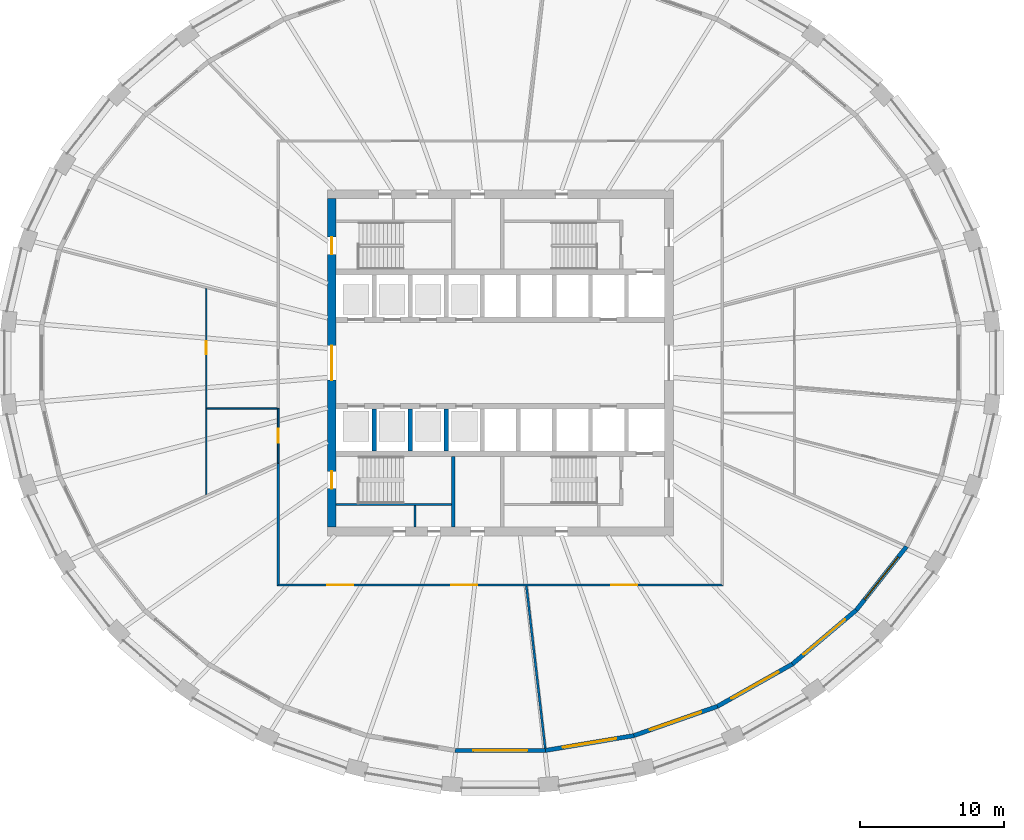
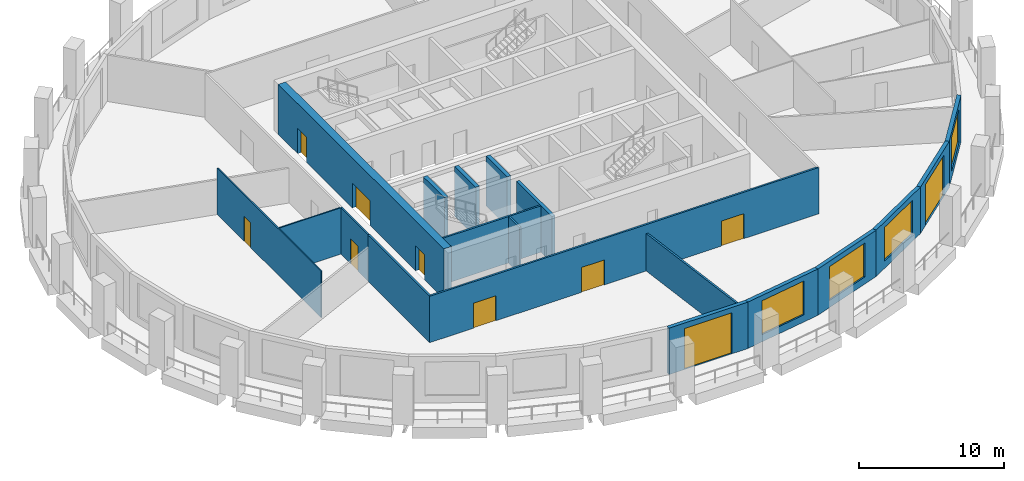
# One storey, part 3 of 10: 19 walls, 10 doors, 4 windows, 14 openings.
"""IFC4 building model written with IfcOpenShell, lengths in metres."""

from ifc_helpers import new_model, si_unit, direction, frame, frame_2d, origin, place, context, subcontext, project, spatial, polyline, rectangle, outline, extrude, material, layer, layer_set, type_object, element, fill, save


model = new_model("IFC4")

# Units and contexts
model_context = context("Model", 3, precision=1e-05, world=origin(), true_north=direction((0.0, 1.0)))
body_context = subcontext(model_context, "Body", "Model", "MODEL_VIEW")
ifc_project = project(units=[si_unit("LENGTHUNIT", "METRE"), si_unit("AREAUNIT", "SQUARE_METRE"), si_unit("VOLUMEUNIT", "CUBIC_METRE"), si_unit("PLANEANGLEUNIT", "RADIAN"), si_unit("MASSUNIT", "GRAM", prefix="KILO")], contexts=[model_context])

# Site, building, storey
site_placement = place(None, origin())
site = spatial("IfcSite", under=ifc_project, at=site_placement, CompositionType="ELEMENT")
building_placement = place(site_placement, origin())
building = spatial("IfcBuilding", under=site, at=building_placement, Name="Halqa Exchange Tower", CompositionType="ELEMENT")
storey_placement = place(building_placement, frame((0.0, 0.0, 138.10009765625)))
storey = spatial("IfcBuildingStorey", under=building, at=storey_placement, Name="L31", CompositionType="ELEMENT", Elevation=138.10009765625)

# Wall
ifc_material_1 = material(Name="Fire-rated gypsum board")
ifc_layer_1 = layer(ifc_material_1, 0.14990234375)
ifc_layer_set_1 = layer_set([ifc_layer_1], Name="Fire-rated gypsum board")
wall_type_1 = type_object("IfcWallType", Name="Fire partition EI 60 150", PredefinedType="PARTITIONING", material=ifc_layer_set_1)
wall_1_placement = place(storey_placement, frame((-15.39990234375, -15.47509765625, 0.0), z_axis=(0.0, 0.0, 1.0), x_axis=(0.0, 1.0, 0.0)))
element("IfcWall", 1, at=wall_1_placement, inside=storey, type_object=wall_type_1, Name="L31-PWL-005", PredefinedType="PARTITIONING", context=body_context, shape_type="SweptSolid", body=[
    extrude(outline(polyline([(8.525146484375, 0.074951171875), (6.820068359375, 0.074951171875), (5.115234375, 0.074951171875), (3.41015625, 0.074951171875), (1.705322265625, 0.074951171875), (0.000244140625, 0.074951171875), (0.150146484375, -0.074951171875), (1.8251953125, -0.074951171875), (3.500244140625, -0.074951171875), (5.175048828125, -0.074951171875), (6.85009765625, -0.074951171875), (8.525146484375, -0.074951171875), (8.525146484375, 0.074951171875)])), origin(), (0.0, 0.0, 1.0), 3.89990234375),
])

# Wall, openings, doors
wall_2_placement = place(storey_placement, frame((-15.47509765625, -15.39990234375, 0.0), z_axis=(0.0, 0.0, 1.0), x_axis=(1.0, 0.0, 0.0)))
wall_2 = element("IfcWall", 2, at=wall_2_placement, inside=storey, type_object=wall_type_1, Name="L31-PWL-006", PredefinedType="PARTITIONING", context=body_context, shape_type="SweptSolid", body=[
    extrude(outline(polyline([(0.000244140625, -0.074951171875), (1.9345703125, -0.074951171875), (3.868896484375, -0.074951171875), (5.80322265625, -0.074951171875), (7.73779296875, -0.074951171875), (9.672119140625, -0.074951171875), (11.6064453125, -0.074951171875), (13.540771484375, -0.074951171875), (15.47509765625, -0.074951171875), (17.409423828125, -0.074951171875), (19.34375, -0.074951171875), (21.278076171875, -0.074951171875), (23.21240234375, -0.074951171875), (25.14697265625, -0.074951171875), (27.081298828125, -0.074951171875), (29.015625, -0.074951171875), (30.949951171875, -0.074951171875), (30.800048828125, 0.074951171875), (28.884521484375, 0.074951171875), (26.96875, 0.074951171875), (25.05322265625, 0.074951171875), (23.1376953125, 0.074951171875), (21.221923828125, 0.074951171875), (19.306396484375, 0.074951171875), (17.390625, 0.074951171875), (15.47509765625, 0.074951171875), (13.5595703125, 0.074951171875), (11.643798828125, 0.074951171875), (9.728271484375, 0.074951171875), (7.8125, 0.074951171875), (5.89697265625, 0.074951171875), (3.9814453125, 0.074951171875), (2.065673828125, 0.074951171875), (0.150146484375, 0.074951171875), (0.000244140625, -0.074951171875)])), origin(), (0.0, 0.0, 1.0), 3.89990234375),
])
opening_1_placement = place(wall_2_placement, frame((3.47509765625, 0.0, 0.0)))
opening_1 = element("IfcOpeningElement", 3, at=opening_1_placement, cuts=wall_2, Name="Opening 09-06", PredefinedType="OPENING", context=body_context, shape_type="SweptSolid", body=[
    extrude(rectangle(XDim=1.800048828125, YDim=2.10009765625, at=frame_2d((0.89990234375, 1.050048828125))), frame((0.0, 0.0869140625, 0.0), z_axis=(0.0, -1.0, 0.0), x_axis=(1.0, 0.0, 0.0)), (0.0, 0.0, 1.0), 0.173828125),
])
opening_2_placement = place(wall_2_placement, frame((12.074951171875, 0.0, 0.0)))
opening_2 = element("IfcOpeningElement", 4, at=opening_2_placement, cuts=wall_2, Name="Opening 09-07", PredefinedType="OPENING", context=body_context, shape_type="SweptSolid", body=[
    extrude(rectangle(XDim=1.800048828125, YDim=2.10009765625, at=frame_2d((0.89990234375, 1.050048828125))), frame((0.0, 0.0869140625, 0.0), z_axis=(0.0, -1.0, 0.0), x_axis=(1.0, 0.0, 0.0)), (0.0, 0.0, 1.0), 0.173828125),
])
opening_3_placement = place(wall_2_placement, frame((23.175048828125, 0.0, 0.0)))
opening_3 = element("IfcOpeningElement", 5, at=opening_3_placement, cuts=wall_2, Name="Opening 09-08", PredefinedType="OPENING", context=body_context, shape_type="SweptSolid", body=[
    extrude(rectangle(XDim=1.800048828125, YDim=2.10009765625, at=frame_2d((0.89990234375, 1.050048828125))), frame((0.0, 0.0869140625, 0.0), z_axis=(0.0, -1.0, 0.0), x_axis=(1.0, 0.0, 0.0)), (0.0, 0.0, 1.0), 0.173828125),
])
ifc_material_2 = material(Name="Steel fire door leaf", Category="steel")
door_type_1 = type_object("IfcDoorType", Name="Fire door FD30S double 1800 x 2100", OperationType="DOUBLE_DOOR_SINGLE_SWING", PredefinedType="DOOR", material=ifc_material_2)
door_1_placement = place(opening_1_placement, frame((1.800048828125, 0.0, 0.0), z_axis=(0.0, 0.0, 1.0), x_axis=(-1.0, 0.0, 0.0)))
door_1 = element("IfcDoor", 6, at=door_1_placement, inside=storey, type_object=door_type_1, Name="L31-IDR-006", OperationType="DOUBLE_DOOR_SINGLE_SWING", OverallHeight=2.10009765625, OverallWidth=1.800048828125, PredefinedType="DOOR", context=body_context, shape_type="SweptSolid", body=[
    extrude(rectangle(XDim=1.800048828125, YDim=2.10009765625, at=frame_2d((0.89990234375, 1.050048828125))), frame((0.0, 0.02490234375, 0.0), z_axis=(0.0, -1.0, 0.0), x_axis=(1.0, 0.0, 0.0)), (0.0, 0.0, 1.0), 0.050048828125),
])
fill(opening_1, door_1)
door_2_placement = place(opening_2_placement, frame((1.800048828125, 0.0, 0.0), z_axis=(0.0, 0.0, 1.0), x_axis=(-1.0, 0.0, 0.0)))
door_2 = element("IfcDoor", 7, at=door_2_placement, inside=storey, type_object=door_type_1, Name="L31-IDR-007", OperationType="DOUBLE_DOOR_SINGLE_SWING", OverallHeight=2.10009765625, OverallWidth=1.800048828125, PredefinedType="DOOR", context=body_context, shape_type="SweptSolid", body=[
    extrude(rectangle(XDim=1.800048828125, YDim=2.10009765625, at=frame_2d((0.89990234375, 1.050048828125))), frame((0.0, 0.02490234375, 0.0), z_axis=(0.0, -1.0, 0.0), x_axis=(1.0, 0.0, 0.0)), (0.0, 0.0, 1.0), 0.050048828125),
])
fill(opening_2, door_2)
door_3_placement = place(opening_3_placement, frame((1.800048828125, 0.0, 0.0), z_axis=(0.0, 0.0, 1.0), x_axis=(-1.0, 0.0, 0.0)))
door_3 = element("IfcDoor", 8, at=door_3_placement, inside=storey, type_object=door_type_1, Name="L31-IDR-008", OperationType="DOUBLE_DOOR_SINGLE_SWING", OverallHeight=2.10009765625, OverallWidth=1.800048828125, PredefinedType="DOOR", context=body_context, shape_type="SweptSolid", body=[
    extrude(rectangle(XDim=1.800048828125, YDim=2.10009765625, at=frame_2d((0.89990234375, 1.050048828125))), frame((0.0, 0.02490234375, 0.0), z_axis=(0.0, -1.0, 0.0), x_axis=(1.0, 0.0, 0.0)), (0.0, 0.0, 1.0), 0.050048828125),
])
fill(opening_3, door_3)

# Wall
wall_3_placement = place(storey_placement, frame((1.8076171875, -15.466552734375, 0.0), z_axis=(0.0, 0.0, 1.0), x_axis=(0.115308163836, -0.993329767677, 0.0)))
element("IfcWall", 9, at=wall_3_placement, inside=storey, type_object=wall_type_1, Name="L31-PWL-011", PredefinedType="PARTITIONING", context=body_context, shape_type="SweptSolid", body=[
    extrude(outline(polyline([(0.0, -0.074951171875), (1.888916015625, -0.074951171875), (3.777587890625, -0.074951171875), (5.66650390625, -0.074951171875), (7.55517578125, -0.074951171875), (9.444091796875, -0.074951171875), (11.332763671875, -0.074951171875), (11.338134765625, -0.029052734375), (11.338134765625, 0.072509765625), (11.337890625, 0.074951171875), (9.451171875, 0.074951171875), (7.564453125, 0.074951171875), (5.677490234375, 0.074951171875), (3.790771484375, 0.074951171875), (1.904052734375, 0.074951171875), (0.01708984375, 0.074951171875), (0.0, -0.0732421875), (0.0, -0.074951171875)])), origin(), (0.0, 0.0, 1.0), 3.14697265625),
])

# Wall, opening, door
ifc_material_3 = material(Name="Fire-rated glazing", Category="glass")
ifc_layer_2 = layer(ifc_material_3, 0.1201171875)
ifc_layer_set_2 = layer_set([ifc_layer_2], Name="Fire-rated glazing")
wall_type_2 = type_object("IfcWallType", Name="Glazed fire partition EI 60 120", PredefinedType="PARTITIONING", material=ifc_layer_set_2)
wall_4_placement = place(storey_placement, frame((-15.39990234375, -6.949951171875, 0.0), z_axis=(0.0, 0.0, 1.0), x_axis=(0.0, 1.0, 0.0)))
wall_4 = element("IfcWall", 10, at=wall_4_placement, inside=storey, type_object=wall_type_2, Name="L31-PWL-007", PredefinedType="PARTITIONING", context=body_context, shape_type="SweptSolid", body=[
    extrude(rectangle(XDim=3.7900390625, YDim=0.1201171875, at=frame_2d((1.89501953125, 0.0))), origin(), (0.0, 0.0, 1.0), 3.89990234375),
])
opening_4_placement = place(wall_4_placement, frame((1.39501953125, 0.0, 0.0)))
opening_4 = element("IfcOpeningElement", 11, at=opening_4_placement, cuts=wall_4, Name="Opening 09-04", PredefinedType="OPENING", context=body_context, shape_type="SweptSolid", body=[
    extrude(rectangle(XDim=1.0, YDim=2.10009765625, at=frame_2d((0.5, 1.050048828125))), frame((0.0, 0.072021484375, 0.0), z_axis=(0.0, -1.0, 0.0), x_axis=(1.0, 0.0, 0.0)), (0.0, 0.0, 1.0), 0.14404296875),
])
door_type_2 = type_object("IfcDoorType", Name="Fire door FD30S 1000 x 2100", OperationType="SINGLE_SWING_LEFT", PredefinedType="DOOR", material=ifc_material_2)
door_4_placement = place(opening_4_placement, origin())
door_4 = element("IfcDoor", 12, at=door_4_placement, inside=storey, type_object=door_type_2, Name="L31-IDR-004", OperationType="SINGLE_SWING_LEFT", OverallHeight=2.10009765625, OverallWidth=1.0, PredefinedType="DOOR", context=body_context, shape_type="SweptSolid", body=[
    extrude(rectangle(XDim=1.0, YDim=2.10009765625, at=frame_2d((0.5, 1.050048828125))), frame((0.0, 0.02490234375, 0.0), z_axis=(0.0, -1.0, 0.0), x_axis=(1.0, 0.0, 0.0)), (0.0, 0.0, 1.0), 0.050048828125),
])
fill(opening_4, door_4)

ifc_material_4 = material(Name="Gypsum board")
ifc_layer_3 = layer(ifc_material_4, 0.10009765625)
ifc_layer_set_3 = layer_set([ifc_layer_3], Name="Gypsum board")
wall_type_3 = type_object("IfcWallType", Name="Partition 100 gypsum", PredefinedType="PARTITIONING", material=ifc_layer_set_3)
wall_5_placement = place(storey_placement, frame((-20.39990234375, -9.1484375, 0.0), z_axis=(0.0, 0.0, 1.0), x_axis=(0.0, 1.0, 0.0)))
wall_5 = element("IfcWall", 13, at=wall_5_placement, inside=storey, type_object=wall_type_3, Name="L31-PWL-003", PredefinedType="PARTITIONING", context=body_context, shape_type="SweptSolid", body=[
    extrude(outline(polyline([(0.044921875, -0.050048828125), (2.009521484375, -0.050048828125), (3.973876953125, -0.050048828125), (5.9384765625, -0.050048828125), (5.9384765625, -0.0498046875), (6.038330078125, -0.0498046875), (6.038330078125, -0.050048828125), (7.68798828125, -0.050048828125), (9.337890625, -0.050048828125), (10.987548828125, -0.050048828125), (12.63720703125, -0.050048828125), (14.286865234375, -0.050048828125), (14.31201171875, 0.048828125), (14.31201171875, 0.050048828125), (12.52294921875, 0.050048828125), (10.73388671875, 0.050048828125), (8.945068359375, 0.050048828125), (7.156005859375, 0.050048828125), (5.366943359375, 0.050048828125), (3.578125, 0.050048828125), (1.7890625, 0.050048828125), (0.0, 0.050048828125), (0.0, 0.049560546875), (0.044921875, -0.050048828125)])), origin(), (0.0, 0.0, 1.0), 3.89990234375),
])
opening_5_placement = place(wall_5_placement, frame((9.7333984375, 0.0, 0.0)))
opening_5 = element("IfcOpeningElement", 14, at=opening_5_placement, cuts=wall_5, Name="Opening 09-12", PredefinedType="OPENING", context=body_context, shape_type="SweptSolid", body=[
    extrude(rectangle(XDim=0.89990234375, YDim=2.10009765625, at=frame_2d((0.449951171875, 1.050048828125))), frame((0.0, 0.06201171875, 0.0), z_axis=(0.0, -1.0, 0.0), x_axis=(1.0, 0.0, 0.0)), (0.0, 0.0, 1.0), 0.1240234375),
])
ifc_material_5 = material(Name="Timber door leaf", Category="wood")
door_type_3 = type_object("IfcDoorType", Name="Door 900 x 2100", OperationType="SINGLE_SWING_LEFT", PredefinedType="DOOR", material=ifc_material_5)
door_5_placement = place(opening_5_placement, frame((0.89990234375, 0.0, 0.0), z_axis=(0.0, 0.0, 1.0), x_axis=(-1.0, 0.0, 0.0)))
door_5 = element("IfcDoor", 15, at=door_5_placement, inside=storey, type_object=door_type_3, Name="L31-IDR-012", OperationType="SINGLE_SWING_RIGHT", OverallHeight=2.10009765625, OverallWidth=0.89990234375, PredefinedType="DOOR", context=body_context, shape_type="SweptSolid", body=[
    extrude(rectangle(XDim=0.89990234375, YDim=2.10009765625, at=frame_2d((0.449951171875, 1.050048828125))), frame((0.0, 0.02490234375, 0.0), z_axis=(0.0, -1.0, 0.0), x_axis=(1.0, 0.0, 0.0)), (0.0, 0.0, 1.0), 0.050048828125),
])
fill(opening_5, door_5)

# Walls
wall_6_placement = place(storey_placement, frame((-20.35009765625, -3.159912109375, 0.0), z_axis=(0.0, 0.0, 1.0), x_axis=(1.0, 0.0, 0.0)))
element("IfcWall", 16, at=wall_6_placement, inside=storey, type_object=wall_type_3, Name="L31-PWL-004", PredefinedType="PARTITIONING", context=body_context, shape_type="SweptSolid", body=[
    extrude(outline(polyline([(4.8896484375, -0.050048828125), (4.8896484375, 0.0), (4.875, 0.0), (4.875, 0.050048828125), (3.25, 0.050048828125), (1.625, 0.050048828125), (0.0, 0.050048828125), (0.0, -0.050048828125), (1.6298828125, -0.050048828125), (3.259765625, -0.050048828125), (4.8896484375, -0.050048828125)])), origin(), (0.0, 0.0, 1.0), 3.89990234375),
])
ifc_layer_4 = layer(ifc_material_4, 0.14990234375)
ifc_layer_set_4 = layer_set([ifc_layer_4], Name="Gypsum board")
wall_type_4 = type_object("IfcWallType", Name="Penthouse riser wall 150 gypsum", PredefinedType="PARTITIONING", material=ifc_layer_set_4)
wall_7_placement = place(storey_placement, frame((-5.925048828125, -11.39990234375, 0.0), z_axis=(0.0, 0.0, 1.0), x_axis=(0.0, 1.0, 0.0)))
element("IfcWall", 17, at=wall_7_placement, inside=storey, type_object=wall_type_4, Name="Partition W5.925 S", PredefinedType="PARTITIONING", context=body_context, shape_type="SweptSolid", body=[
    extrude(rectangle(XDim=1.5, YDim=0.14990234375, at=frame_2d((0.75, 0.0))), origin(), (0.0, 0.0, 1.0), 3.89990234375),
])
ifc_material_6 = material(Name="Concrete C60/75", Category="concrete")
ifc_layer_5 = layer(ifc_material_6, 0.300048828125)
ifc_layer_set_5 = layer_set([ifc_layer_5], Name="Concrete C60/75")
wall_type_5 = type_object("IfcWallType", Name="RC core wall 300", PredefinedType="SHEAR", material=ifc_layer_set_5)
for number, where, z_axis, x_axis, name in (
    (18, (-8.75, -6.10009765625, 0.0), (0.0, 0.0, 1.0), (0.0, 1.0, 0.0), "Shaft divider S1"),
    (19, (-6.25, -6.10009765625, 0.0), (0.0, 0.0, 1.0), (0.0, 1.0, 0.0), "Shaft divider S2"),
    (20, (-3.75, -6.10009765625, 0.0), (0.0, 0.0, 1.0), (0.0, 1.0, 0.0), "Shaft divider S3"),
):
    element("IfcWall", number, at=place(storey_placement, frame(where, z_axis=z_axis, x_axis=x_axis)), inside=storey, type_object=wall_type_5, Name=name, PredefinedType="SHEAR", context=body_context, shape_type="SweptSolid", body=[
        extrude(rectangle(XDim=2.900146484375, YDim=0.300048828125, at=frame_2d((1.4501953125, 0.0))), origin(), (0.0, 0.0, 1.0), 4.199951171875),
    ])

# Wall, openings, doors
ifc_material_7 = material(Name="Concrete C70/85", Category="concrete")
ifc_layer_6 = layer(ifc_material_7, 0.60009765625)
ifc_layer_set_6 = layer_set([ifc_layer_6], Name="Concrete C70/85")
wall_type_6 = type_object("IfcWallType", Name="RC core wall 600 C70/85", PredefinedType="SHEAR", material=ifc_layer_set_6)
wall_8_placement = place(storey_placement, frame((-11.699951171875, -11.39990234375, 0.0), z_axis=(0.0, 0.0, 1.0), x_axis=(0.0, 1.0, 0.0)))
wall_8 = element("IfcWall", 21, at=wall_8_placement, inside=storey, type_object=wall_type_6, Name="Core wall west", PredefinedType="SHEAR", context=body_context, shape_type="SweptSolid", body=[
    extrude(rectangle(XDim=22.7998046875, YDim=0.60009765625, at=frame_2d((11.39990234375, 0.0))), origin(), (0.0, 0.0, 1.0), 4.199951171875),
])
opening_6_placement = place(wall_8_placement, frame((10.199951171875, 0.0, 0.0)))
opening_6 = element("IfcOpeningElement", 22, at=opening_6_placement, cuts=wall_8, Name="Opening T09-C13", PredefinedType="OPENING", context=body_context, shape_type="SweptSolid", body=[
    extrude(rectangle(XDim=2.39990234375, YDim=2.10009765625, at=frame_2d((1.199951171875, 1.050048828125))), frame((0.0, 0.31201171875, 0.0), z_axis=(0.0, -1.0, 0.0), x_axis=(1.0, 0.0, 0.0)), (0.0, 0.0, 1.0), 0.6240234375),
])
opening_7_placement = place(wall_8_placement, frame((18.925048828125, 0.0, 0.0)))
opening_7 = element("IfcOpeningElement", 23, at=opening_7_placement, cuts=wall_8, Name="Opening T09-C15", PredefinedType="OPENING", context=body_context, shape_type="SweptSolid", body=[
    extrude(rectangle(XDim=1.199951171875, YDim=2.10009765625, at=frame_2d((0.60009765625, 1.050048828125))), frame((0.0, 0.31201171875, 0.0), z_axis=(0.0, -1.0, 0.0), x_axis=(1.0, 0.0, 0.0)), (0.0, 0.0, 1.0), 0.6240234375),
])
opening_8_placement = place(wall_8_placement, frame((2.675048828125, 0.0, 0.0)))
opening_8 = element("IfcOpeningElement", 24, at=opening_8_placement, cuts=wall_8, Name="Opening T09-C17", PredefinedType="OPENING", context=body_context, shape_type="SweptSolid", body=[
    extrude(rectangle(XDim=1.199951171875, YDim=2.10009765625, at=frame_2d((0.60009765625, 1.050048828125))), frame((0.0, 0.31201171875, 0.0), z_axis=(0.0, -1.0, 0.0), x_axis=(1.0, 0.0, 0.0)), (0.0, 0.0, 1.0), 0.6240234375),
])
door_type_4 = type_object("IfcDoorType", Name="Lobby double door FD60 2400 x 2100", OperationType="DOUBLE_DOOR_SINGLE_SWING", PredefinedType="DOOR", material=ifc_material_2)
door_6_placement = place(opening_6_placement, frame((2.39990234375, 0.0, 0.0), z_axis=(0.0, 0.0, 1.0), x_axis=(-1.0, 0.0, 0.0)))
door_6 = element("IfcDoor", 25, at=door_6_placement, inside=storey, type_object=door_type_4, Name="Lift lobby double door", OperationType="DOUBLE_DOOR_SINGLE_SWING", OverallHeight=2.10009765625, OverallWidth=2.39990234375, PredefinedType="DOOR", context=body_context, shape_type="SweptSolid", body=[
    extrude(rectangle(XDim=2.39990234375, YDim=2.10009765625, at=frame_2d((1.199951171875, 1.050048828125))), frame((0.0, 0.02490234375, 0.0), z_axis=(0.0, -1.0, 0.0), x_axis=(1.0, 0.0, 0.0)), (0.0, 0.0, 1.0), 0.050048828125),
])
fill(opening_6, door_6)
door_type_5 = type_object("IfcDoorType", Name="Stair door FD90 1200 x 2100", OperationType="SINGLE_SWING_LEFT", PredefinedType="DOOR", material=ifc_material_2)
door_7_placement = place(opening_7_placement, frame((1.199951171875, 0.0, 0.0), z_axis=(0.0, 0.0, 1.0), x_axis=(-1.0, 0.0, 0.0)))
door_7 = element("IfcDoor", 26, at=door_7_placement, inside=storey, type_object=door_type_5, Name="Stair door ST1", OperationType="SINGLE_SWING_RIGHT", OverallHeight=2.10009765625, OverallWidth=1.199951171875, PredefinedType="DOOR", context=body_context, shape_type="SweptSolid", body=[
    extrude(rectangle(XDim=1.199951171875, YDim=2.10009765625, at=frame_2d((0.60009765625, 1.050048828125))), frame((0.0, 0.02490234375, 0.0), z_axis=(0.0, -1.0, 0.0), x_axis=(1.0, 0.0, 0.0)), (0.0, 0.0, 1.0), 0.050048828125),
])
fill(opening_7, door_7)
door_8_placement = place(opening_8_placement, frame((1.199951171875, 0.0, 0.0), z_axis=(0.0, 0.0, 1.0), x_axis=(-1.0, 0.0, 0.0)))
door_8 = element("IfcDoor", 27, at=door_8_placement, inside=storey, type_object=door_type_5, Name="Stair door ST3", OperationType="SINGLE_SWING_RIGHT", OverallHeight=2.10009765625, OverallWidth=1.199951171875, PredefinedType="DOOR", context=body_context, shape_type="SweptSolid", body=[
    extrude(rectangle(XDim=1.199951171875, YDim=2.10009765625, at=frame_2d((0.60009765625, 1.050048828125))), frame((0.0, 0.02490234375, 0.0), z_axis=(0.0, -1.0, 0.0), x_axis=(1.0, 0.0, 0.0)), (0.0, 0.0, 1.0), 0.050048828125),
])
fill(opening_8, door_8)

# Walls
ifc_material_8 = material(Name="Concrete C30/37", Category="concrete")
ifc_layer_7 = layer(ifc_material_8, 0.14990234375)
ifc_layer_set_7 = layer_set([ifc_layer_7], Name="Concrete C30/37")
wall_type_7 = type_object("IfcWallType", Name="RC stair wall 150 C30/37", PredefinedType="SHEAR", material=ifc_layer_set_7)
wall_9_placement = place(storey_placement, frame((-11.39990234375, -9.824951171875, 0.0), z_axis=(0.0, 0.0, 1.0), x_axis=(1.0, 0.0, 0.0)))
element("IfcWall", 28, at=wall_9_placement, inside=storey, type_object=wall_type_7, Name="Stair ST1 north wall S", PredefinedType="SHEAR", context=body_context, shape_type="SweptSolid", body=[
    extrude(rectangle(XDim=8.0, YDim=0.14990234375, at=frame_2d((4.0, 0.0))), origin(), (0.0, 0.0, 1.0), 3.89990234375),
])
ifc_layer_8 = layer(ifc_material_8, 0.25)
ifc_layer_set_8 = layer_set([ifc_layer_8], Name="Concrete C30/37")
wall_type_8 = type_object("IfcWallType", Name="RC stair wall 250 C30/37", PredefinedType="SHEAR", material=ifc_layer_set_8)
wall_10_placement = place(storey_placement, frame((-3.27490234375, -11.39990234375, 0.0), z_axis=(0.0, 0.0, 1.0), x_axis=(0.0, 1.0, 0.0)))
element("IfcWall", 29, at=wall_10_placement, inside=storey, type_object=wall_type_8, Name="Stair ST1 east wall S", PredefinedType="SHEAR", context=body_context, shape_type="SweptSolid", body=[
    extrude(rectangle(XDim=4.89990234375, YDim=0.25, at=frame_2d((2.449951171875, 0.0))), origin(), (0.0, 0.0, 1.0), 3.89990234375),
])

# Wall, opening, door
ifc_material_9 = material(Name="Limestone cladding", Category="masonry")
ifc_layer_9 = layer(ifc_material_9, 0.0400390625)
ifc_material_10 = material(Name="Ventilated cavity")
ifc_layer_10 = layer(ifc_material_10, 0.030029296875, ventilated=True)
ifc_material_11 = material(Name="Mineral wool insulation")
ifc_layer_11 = layer(ifc_material_11, 0.10009765625)
ifc_layer_12 = layer(ifc_material_8, 0.10009765625)
ifc_material_12 = material(Name="Internal plaster")
ifc_layer_13 = layer(ifc_material_12, 0.030029296875)
ifc_layer_set_9 = layer_set([ifc_layer_9, ifc_layer_10, ifc_layer_11, ifc_layer_12, ifc_layer_13], Name="Stone-faced insulated wall 300")
wall_type_9 = type_object("IfcWallType", Name="Stone-faced insulated wall 300", PredefinedType="STANDARD", material=ifc_layer_set_9)
wall_11_placement = place(storey_placement, frame((-3.1298828125, -26.88232421875, 0.0), z_axis=(0.0, 0.0, 1.0), x_axis=(1.0, 0.0, 0.0)))
wall_11 = element("IfcWall", 30, at=wall_11_placement, inside=storey, type_object=wall_type_9, Name="Glass-line wall 24", PredefinedType="STANDARD", context=body_context, shape_type="SweptSolid", body=[
    extrude(outline(polyline([(-0.012451171875, -0.14990234375), (6.272216796875, -0.14990234375), (6.247314453125, 0.14990234375), (0.012451171875, 0.14990234375), (-0.012451171875, -0.14990234375)])), origin(), (0.0, 0.0, 1.0), 3.89990234375),
])
opening_9_placement = place(wall_11_placement, frame((1.2548828125, 0.0, 0.0)))
opening_9 = element("IfcOpeningElement", 31, at=opening_9_placement, cuts=wall_11, Name="Opening LG-F2-06", PredefinedType="OPENING", context=body_context, shape_type="SweptSolid", body=[
    extrude(rectangle(XDim=3.75, YDim=3.449951171875, at=frame_2d((1.875, 1.72509765625))), frame((0.0, 0.162109375, 0.0), z_axis=(0.0, -1.0, 0.0), x_axis=(1.0, 0.0, 0.0)), (0.0, 0.0, 1.0), 0.323974609375),
])
ifc_material_13 = material(Name="Clear low-emissivity glass in aluminium frame", Category="aluminium")
door_type_6 = type_object("IfcDoorType", Name="Glazed sliding loggia door 3750 x 3450", OperationType="DOUBLE_DOOR_SLIDING", PredefinedType="DOOR", material=ifc_material_13)
door_9_placement = place(opening_9_placement, origin())
door_9 = element("IfcDoor", 32, at=door_9_placement, inside=storey, type_object=door_type_6, Name="Loggia door 6", OperationType="DOUBLE_DOOR_SLIDING", OverallHeight=3.449951171875, OverallWidth=3.75, PredefinedType="DOOR", context=body_context, shape_type="SweptSolid", body=[
    extrude(rectangle(XDim=3.75, YDim=3.449951171875, at=frame_2d((1.875, 1.72509765625))), frame((0.0, 0.02490234375, 0.0), z_axis=(0.0, -1.0, 0.0), x_axis=(1.0, 0.0, 0.0)), (0.0, 0.0, 1.0), 0.050048828125),
])
fill(opening_9, door_9)

# Wall, opening, window
wall_12_placement = place(storey_placement, frame((3.1298828125, -26.88232421875, 0.0), z_axis=(0.0, 0.0, 1.0), x_axis=(0.9861811474, 0.165670590368, 0.0)))
wall_12 = element("IfcWall", 33, at=wall_12_placement, inside=storey, type_object=wall_type_9, Name="Glass-line wall 25", PredefinedType="STANDARD", context=body_context, shape_type="SweptSolid", body=[
    extrude(outline(polyline([(-0.012451171875, -0.14990234375), (6.23876953125, -0.14990234375), (6.21337890625, 0.14990234375), (0.012451171875, 0.14990234375), (-0.012451171875, -0.14990234375)])), origin(), (0.0, 0.0, 1.0), 3.89990234375),
])
opening_10_placement = place(wall_12_placement, frame((1.238037109375, 0.0, 0.60009765625)))
opening_10 = element("IfcOpeningElement", 34, at=opening_10_placement, cuts=wall_12, Name="Opening W-F2-25", PredefinedType="OPENING", context=body_context, shape_type="SweptSolid", body=[
    extrude(rectangle(XDim=3.75, YDim=2.85009765625, at=frame_2d((1.875, 1.425048828125))), frame((0.0, 0.162109375, 0.0), z_axis=(0.0, -1.0, 0.0), x_axis=(1.0, 0.0, 0.0)), (0.0, 0.0, 1.0), 0.323974609375),
])
window_type = type_object("IfcWindowType", Name="Fixed clear glazed window 3750 x 2850", PartitioningType="TRIPLE_PANEL_VERTICAL", PredefinedType="WINDOW", material=ifc_material_13)
window_1_placement = place(opening_10_placement, origin())
window_1 = element("IfcWindow", 35, at=window_1_placement, inside=storey, type_object=window_type, Name="Window 2", OverallHeight=2.85009765625, OverallWidth=3.75, PartitioningType="TRIPLE_PANEL_VERTICAL", PredefinedType="WINDOW", context=body_context, shape_type="SweptSolid", body=[
    extrude(rectangle(XDim=3.75, YDim=2.85009765625, at=frame_2d((1.875, 1.425048828125))), frame((0.0, 0.030029296875, 0.0), z_axis=(0.0, -1.0, 0.0), x_axis=(1.0, 0.0, 0.0)), (0.0, 0.0, 1.0), 0.06005859375),
])
fill(opening_10, window_1)

wall_13_placement = place(storey_placement, frame((9.27001953125, -25.850830078125, 0.0), z_axis=(0.0, 0.0, 1.0), x_axis=(0.943911133508, 0.330199594245, 0.0)))
wall_13 = element("IfcWall", 36, at=wall_13_placement, inside=storey, type_object=wall_type_9, Name="Glass-line wall 26", PredefinedType="STANDARD", context=body_context, shape_type="SweptSolid", body=[
    extrude(outline(polyline([(-0.0126953125, -0.14990234375), (6.14208984375, -0.14990234375), (6.115234375, 0.14990234375), (0.0126953125, 0.14990234375), (-0.0126953125, -0.14990234375)])), origin(), (0.0, 0.0, 1.0), 3.89990234375),
])
opening_11_placement = place(wall_13_placement, frame((1.189208984375, 0.0, 0.60009765625)))
opening_11 = element("IfcOpeningElement", 37, at=opening_11_placement, cuts=wall_13, Name="Opening W-F2-26", PredefinedType="OPENING", context=body_context, shape_type="SweptSolid", body=[
    extrude(rectangle(XDim=3.75, YDim=2.85009765625, at=frame_2d((1.875, 1.425048828125))), frame((0.0, 0.162109375, 0.0), z_axis=(0.0, -1.0, 0.0), x_axis=(1.0, 0.0, 0.0)), (0.0, 0.0, 1.0), 0.323974609375),
])
window_2_placement = place(opening_11_placement, origin())
window_2 = element("IfcWindow", 38, at=window_2_placement, inside=storey, type_object=window_type, Name="Window 2", OverallHeight=2.85009765625, OverallWidth=3.75, PartitioningType="TRIPLE_PANEL_VERTICAL", PredefinedType="WINDOW", context=body_context, shape_type="SweptSolid", body=[
    extrude(rectangle(XDim=3.75, YDim=2.85009765625, at=frame_2d((1.875, 1.425048828125))), frame((0.0, 0.030029296875, 0.0), z_axis=(0.0, -1.0, 0.0), x_axis=(1.0, 0.0, 0.0)), (0.0, 0.0, 1.0), 0.06005859375),
])
fill(opening_11, window_2)

wall_14_placement = place(storey_placement, frame((15.054931640625, -23.8271484375, 0.0), z_axis=(0.0, 0.0, 1.0), x_axis=(0.87090857883, 0.491445060327, 0.0)))
wall_14 = element("IfcWall", 39, at=wall_14_placement, inside=storey, type_object=wall_type_9, Name="Glass-line wall 27", PredefinedType="STANDARD", context=body_context, shape_type="SweptSolid", body=[
    extrude(outline(polyline([(-0.013427734375, -0.14990234375), (5.994384765625, -0.14990234375), (5.966064453125, 0.14990234375), (0.013427734375, 0.14990234375), (-0.013427734375, -0.14990234375)])), origin(), (0.0, 0.0, 1.0), 3.89990234375),
])
opening_12_placement = place(wall_14_placement, frame((1.114990234375, 0.0, 0.60009765625)))
opening_12 = element("IfcOpeningElement", 40, at=opening_12_placement, cuts=wall_14, Name="Opening W-F2-27", PredefinedType="OPENING", context=body_context, shape_type="SweptSolid", body=[
    extrude(rectangle(XDim=3.75, YDim=2.85009765625, at=frame_2d((1.875, 1.425048828125))), frame((0.0, 0.162109375, 0.0), z_axis=(0.0, -1.0, 0.0), x_axis=(1.0, 0.0, 0.0)), (0.0, 0.0, 1.0), 0.323974609375),
])
window_3_placement = place(opening_12_placement, origin())
window_3 = element("IfcWindow", 41, at=window_3_placement, inside=storey, type_object=window_type, Name="Window 2", OverallHeight=2.85009765625, OverallWidth=3.75, PartitioningType="TRIPLE_PANEL_VERTICAL", PredefinedType="WINDOW", context=body_context, shape_type="SweptSolid", body=[
    extrude(rectangle(XDim=3.75, YDim=2.85009765625, at=frame_2d((1.875, 1.425048828125))), frame((0.0, 0.030029296875, 0.0), z_axis=(0.0, -1.0, 0.0), x_axis=(1.0, 0.0, 0.0)), (0.0, 0.0, 1.0), 0.06005859375),
])
fill(opening_12, window_3)

# Wall, opening, door
wall_15_placement = place(storey_placement, frame((20.26318359375, -20.88818359375, 0.0), z_axis=(0.0, 0.0, 1.0), x_axis=(0.763963973896, 0.645258898884, 0.0)))
wall_15 = element("IfcWall", 42, at=wall_15_placement, inside=storey, type_object=wall_type_9, Name="Glass-line wall 28", PredefinedType="STANDARD", context=body_context, shape_type="SweptSolid", body=[
    extrude(outline(polyline([(-0.01416015625, -0.14990234375), (5.81494140625, -0.14990234375), (5.78466796875, 0.14990234375), (0.01416015625, 0.14990234375), (-0.01416015625, -0.14990234375)])), origin(), (0.0, 0.0, 1.0), 3.89990234375),
])
opening_13_placement = place(wall_15_placement, frame((1.02490234375, 0.0, 0.0)))
opening_13 = element("IfcOpeningElement", 43, at=opening_13_placement, cuts=wall_15, Name="Opening LG-F2-07", PredefinedType="OPENING", context=body_context, shape_type="SweptSolid", body=[
    extrude(rectangle(XDim=3.75, YDim=3.449951171875, at=frame_2d((1.875, 1.72509765625))), frame((0.0, 0.162109375, 0.0), z_axis=(0.0, -1.0, 0.0), x_axis=(1.0, 0.0, 0.0)), (0.0, 0.0, 1.0), 0.323974609375),
])
door_10_placement = place(opening_13_placement, origin())
door_10 = element("IfcDoor", 44, at=door_10_placement, inside=storey, type_object=door_type_6, Name="Loggia door 7", OperationType="DOUBLE_DOOR_SLIDING", OverallHeight=3.449951171875, OverallWidth=3.75, PredefinedType="DOOR", context=body_context, shape_type="SweptSolid", body=[
    extrude(rectangle(XDim=3.75, YDim=3.449951171875, at=frame_2d((1.875, 1.72509765625))), frame((0.0, 0.02490234375, 0.0), z_axis=(0.0, -1.0, 0.0), x_axis=(1.0, 0.0, 0.0)), (0.0, 0.0, 1.0), 0.050048828125),
])
fill(opening_13, door_10)

# Wall, opening, window
wall_16_placement = place(storey_placement, frame((24.694091796875, -17.145751953125, 0.0), z_axis=(0.0, 0.0, 1.0), x_axis=(0.620464552431, 0.784234492468, 0.0)))
wall_16 = element("IfcWall", 45, at=wall_16_placement, inside=storey, type_object=wall_type_9, Name="Glass-line wall 29", PredefinedType="STANDARD", context=body_context, shape_type="SweptSolid", body=[
    extrude(outline(polyline([(-0.01513671875, -0.14990234375), (5.63037109375, -0.14990234375), (5.59814453125, 0.14990234375), (0.01513671875, 0.14990234375), (-0.01513671875, -0.14990234375)])), origin(), (0.0, 0.0, 1.0), 3.89990234375),
])
opening_14_placement = place(wall_16_placement, frame((0.931884765625, 0.0, 0.60009765625)))
opening_14 = element("IfcOpeningElement", 46, at=opening_14_placement, cuts=wall_16, Name="Opening W-F2-29", PredefinedType="OPENING", context=body_context, shape_type="SweptSolid", body=[
    extrude(rectangle(XDim=3.75, YDim=2.85009765625, at=frame_2d((1.875, 1.425048828125))), frame((0.0, 0.162109375, 0.0), z_axis=(0.0, -1.0, 0.0), x_axis=(1.0, 0.0, 0.0)), (0.0, 0.0, 1.0), 0.323974609375),
])
window_4_placement = place(opening_14_placement, origin())
window_4 = element("IfcWindow", 47, at=window_4_placement, inside=storey, type_object=window_type, Name="Window 2", OverallHeight=2.85009765625, OverallWidth=3.75, PartitioningType="TRIPLE_PANEL_VERTICAL", PredefinedType="WINDOW", context=body_context, shape_type="SweptSolid", body=[
    extrude(rectangle(XDim=3.75, YDim=2.85009765625, at=frame_2d((1.875, 1.425048828125))), frame((0.0, 0.030029296875, 0.0), z_axis=(0.0, -1.0, 0.0), x_axis=(1.0, 0.0, 0.0)), (0.0, 0.0, 1.0), 0.06005859375),
])
fill(opening_14, window_4)

save(model, "model.ifc")
